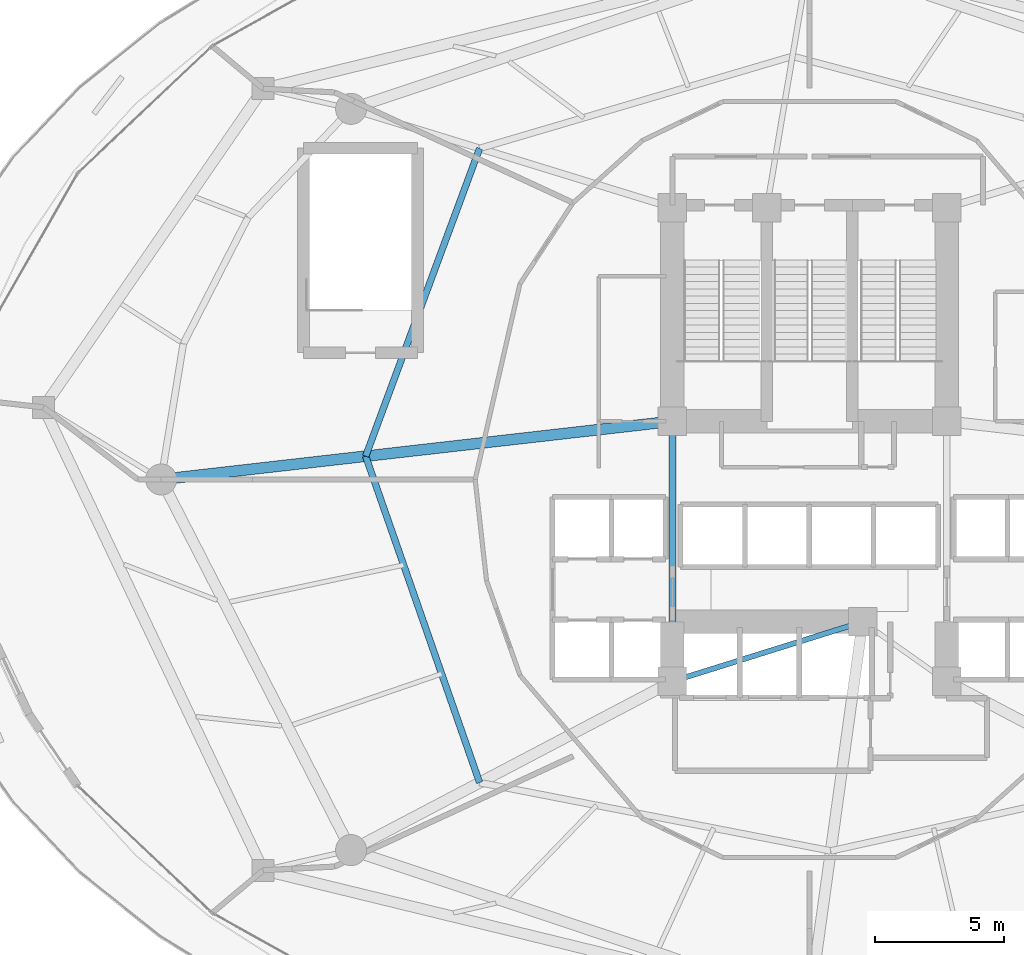
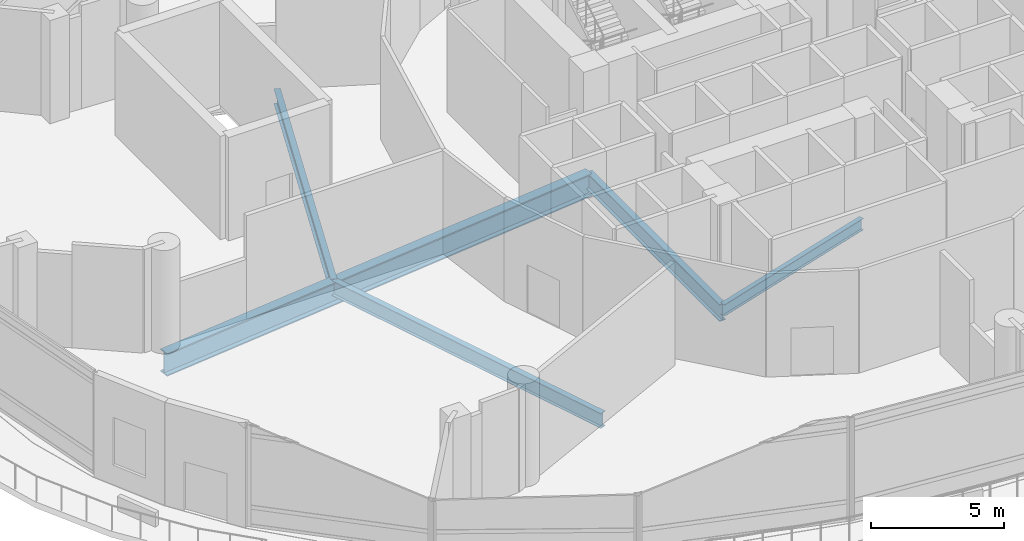
# One storey, part 10 of 34: 5 beams.
"""IFC4 building model written with IfcOpenShell, lengths in metres."""

import ifcopenshell
import ifcopenshell.guid

model = None  # the IFC model being written
_history = None  # IfcOwnerHistory: only IFC2X3 demands one
_inside = {}  # id of a spatial element -> (the spatial element, [elements in it])
_under = {}  # id of a project, library or spatial element -> (it, [spatial elements below it])
_declared = {}  # id of a project -> (the project, [libraries it declares])
_typed = {}  # id of a type object -> (the type object, [elements of that type])
_made_of = {}  # id of a material, layer set ... -> (it, [elements and type objects made of it])


def new_model(schema):
    """Start an empty IFC model of exactly this schema.

    Asked for "IFC4X3", IfcOpenShell would pick the latest addendum, in which some entities
    have other attributes; the version numbers below select the first issue.
    IFC2X3 requires an IfcOwnerHistory on every rooted entity: one is made here for all.
    """
    global model, _history
    if schema == "IFC4X3":
        model = ifcopenshell.file(schema_version=(4, 3, 0, 0))
    else:
        model = ifcopenshell.file(schema=schema)
    _inside.clear()
    _under.clear()
    _declared.clear()
    _typed.clear()
    _made_of.clear()
    _history = None
    if model.schema == "IFC2X3":
        org = make("IfcOrganization", Name="unknown")
        user = make(
            "IfcPersonAndOrganization",
            ThePerson=make("IfcPerson", FamilyName="unknown"),
            TheOrganization=org,
        )
        app = make(
            "IfcApplication",
            ApplicationDeveloper=org,
            Version="unknown",
            ApplicationFullName="unknown",
            ApplicationIdentifier="unknown",
        )
        _history = make(
            "IfcOwnerHistory",
            OwningUser=user,
            OwningApplication=app,
            ChangeAction="ADDED",
            CreationDate=0,
        )
    return model


def make(cls, **values):
    """One entity of the class cls with the attributes given. An attribute that is None is left unset."""
    return model.create_entity(
        cls, **{name: value for name, value in values.items() if value is not None}
    )


def rooted(cls, **values):
    """An entity with a GlobalId (a new one), such as an element, a storey or a relation."""
    return make(cls, GlobalId=ifcopenshell.guid.new(), OwnerHistory=_history, **values)


def si_unit(unit_type, name, prefix=None):
    """IfcSIUnit, for example si_unit("LENGTHUNIT", "METRE", prefix="MILLI")."""
    return make("IfcSIUnit", UnitType=unit_type, Prefix=prefix, Name=name)


def assignment(units):
    """IfcUnitAssignment: the units of a project."""
    return None if units is None else make("IfcUnitAssignment", Units=units)


def point(xyz):
    """IfcCartesianPoint."""
    return None if xyz is None else make("IfcCartesianPoint", Coordinates=xyz)


def direction(xyz):
    """IfcDirection."""
    return None if xyz is None else make("IfcDirection", DirectionRatios=xyz)


def frame(location, z_axis=None, x_axis=None):
    """IfcAxis2Placement3D, a coordinate frame: its origin and axes. An axis left out is left unset."""
    return make(
        "IfcAxis2Placement3D",
        Location=point(location),
        Axis=direction(z_axis),
        RefDirection=direction(x_axis),
    )


def frame_2d(location, x_axis=None):
    """IfcAxis2Placement2D, a coordinate frame in the plane: its origin and x axis."""
    return make(
        "IfcAxis2Placement2D", Location=point(location), RefDirection=direction(x_axis)
    )


def origin():
    """The frame at (0, 0, 0) with its axes left unset."""
    return frame((0.0, 0.0, 0.0))


def origin_2d():
    """The frame at (0, 0) in the plane with its x axis left unset."""
    return frame_2d((0.0, 0.0))


def place(relative_to, where):
    """IfcLocalPlacement: puts the frame where relative to a parent placement (None: the world)."""
    return make(
        "IfcLocalPlacement", PlacementRelTo=relative_to, RelativePlacement=where
    )


def context(
    kind, dimensions, precision=None, world=None, true_north=None, identifier=None
):
    """IfcGeometricRepresentationContext, for example the 3D "Model" context."""
    return make(
        "IfcGeometricRepresentationContext",
        ContextIdentifier=identifier,
        ContextType=kind,
        CoordinateSpaceDimension=dimensions,
        Precision=precision,
        WorldCoordinateSystem=world,
        TrueNorth=true_north,
    )


def subcontext(parent, identifier, kind, view, scale=None):
    """IfcGeometricRepresentationSubContext, for example "Body" below "Model"."""
    return make(
        "IfcGeometricRepresentationSubContext",
        ContextIdentifier=identifier,
        ContextType=kind,
        ParentContext=parent,
        TargetScale=scale,
        TargetView=view,
    )


def project(units=None, contexts=None):
    """IfcProject with its units and contexts."""
    return rooted(
        "IfcProject",
        Name="project",
        RepresentationContexts=contexts,
        UnitsInContext=assignment(units),
    )


def spatial(cls, under=None, at=None, **own):
    """A site, building, storey or space (cls), placed at a placement, below another one or the project."""
    s = rooted(cls, ObjectPlacement=at, **own)
    if under is not None:
        _under.setdefault(under.id(), (under, []))[1].append(s)
    return s


def profile(cls, at=None, kind="AREA", **sizes):
    """A parametric profile (cls). Its sizes go by their IFC names, for example OverallWidth=200.0."""
    return make(cls, ProfileType=kind, Position=at, **sizes)


def i_section(**sizes):
    """IfcIShapeProfileDef."""
    return profile("IfcIShapeProfileDef", **sizes)


def extrude(swept, where, along, depth):
    """IfcExtrudedAreaSolid: the profile swept, set in the frame where, extruded along a direction by depth."""
    return make(
        "IfcExtrudedAreaSolid",
        SweptArea=swept,
        Position=where,
        ExtrudedDirection=direction(along),
        Depth=depth,
    )


def shape(context_of_items, identifier, shape_type, items):
    """IfcShapeRepresentation: the items that make up one representation, for example the "Body"."""
    return make(
        "IfcShapeRepresentation",
        ContextOfItems=context_of_items,
        RepresentationIdentifier=identifier,
        RepresentationType=shape_type,
        Items=items,
    )


def material(Name=None, Category=None):
    """IfcMaterial."""
    return make("IfcMaterial", Name=Name, Category=Category)


def material_profile(
    of_material, cross_section, Name=None, Category=None, Priority=None
):
    """IfcMaterialProfile: a cross section and its material."""
    return make(
        "IfcMaterialProfile",
        Name=Name,
        Material=of_material,
        Profile=cross_section,
        Priority=Priority,
        Category=Category,
    )


def profile_set(profiles, Name=None, composite=None):
    """IfcMaterialProfileSet."""
    return make(
        "IfcMaterialProfileSet",
        Name=Name,
        MaterialProfiles=profiles,
        CompositeProfile=composite,
    )


def made_of(thing, what):
    """Note that an element or type object is made of a material, layer set ...; save() writes the relation."""
    if what is not None:
        _made_of.setdefault(what.id(), (what, []))[1].append(thing)
    return thing


def type_object(cls, material=None, **own):
    """A type object (cls), such as IfcWallType, which elements share."""
    return made_of(rooted(cls, **own), material)


def element(
    cls,
    number,
    at=None,
    inside=None,
    cuts=None,
    type_object=None,
    material=None,
    context=None,
    identifier="Body",
    shape_type=None,
    held_by="IfcProductDefinitionShape",
    body=None,
    shapes=None,
    **own,
):
    """One element of the class cls, such as IfcWall. Its Tag is "e" and its number.

    at: its placement. inside: the storey or other place that contains it. cuts: it is an
    opening in that element (IfcRelVoidsElement). A single representation is given by context,
    identifier, shape_type and body (its items); several are given by shapes. held_by: the class
    of the entity that holds the representations. save() writes the other relations.
    """
    e = rooted(cls, Tag="e%d" % number, ObjectPlacement=at, **own)
    if body is not None:
        shapes = [shape(context, identifier, shape_type, body)]
    if shapes is not None:
        e.Representation = make(held_by, Representations=shapes)
    if inside is not None:
        _inside.setdefault(inside.id(), (inside, []))[1].append(e)
    if cuts is not None:
        rooted(
            "IfcRelVoidsElement", RelatingBuildingElement=cuts, RelatedOpeningElement=e
        )
    if type_object is not None:
        _typed.setdefault(type_object.id(), (type_object, []))[1].append(e)
    return made_of(e, material)


def aggregate(whole, parts):
    """IfcRelAggregates: a whole, such as a stair, and the parts it consists of."""
    return rooted("IfcRelAggregates", RelatingObject=whole, RelatedObjects=parts)


def save(model, path):
    """Write the relations noted so far, then the file.

    IfcRelAggregates (storeys below a building ...), IfcRelContainedInSpatialStructure (elements
    in a storey), IfcRelDefinesByType, IfcRelAssociatesMaterial and IfcRelDeclares: one each for
    every whole, place, type object, material and project.
    """
    for whole, parts in _under.values():
        aggregate(whole, parts)
    for where, things in _inside.values():
        rooted(
            "IfcRelContainedInSpatialStructure",
            RelatedElements=things,
            RelatingStructure=where,
        )
    for kind, things in _typed.values():
        rooted("IfcRelDefinesByType", RelatedObjects=things, RelatingType=kind)
    for what, things in _made_of.values():
        rooted("IfcRelAssociatesMaterial", RelatedObjects=things, RelatingMaterial=what)
    for by, libraries in _declared.values():
        rooted("IfcRelDeclares", RelatingContext=by, RelatedDefinitions=libraries)
    model.write(path)


model = new_model("IFC4")

# Units and contexts
model_context = context("Model", 3, precision=1e-05, world=origin(), true_north=direction((0.0, 1.0)))
body_context = subcontext(model_context, "Body", "Model", "MODEL_VIEW")
ifc_project = project(units=[si_unit("LENGTHUNIT", "METRE"), si_unit("AREAUNIT", "SQUARE_METRE"), si_unit("VOLUMEUNIT", "CUBIC_METRE"), si_unit("PLANEANGLEUNIT", "RADIAN"), si_unit("MASSUNIT", "GRAM", prefix="KILO")], contexts=[model_context])

# Site, building, storey
site_placement = place(None, origin())
site = spatial("IfcSite", under=ifc_project, at=site_placement, CompositionType="ELEMENT")
building_placement = place(site_placement, origin())
building = spatial("IfcBuilding", under=site, at=building_placement, Name="Nuhasar Tower", CompositionType="ELEMENT")
storey_placement = place(building_placement, frame((0.0, 0.0, 16.0)))
storey = spatial("IfcBuildingStorey", under=building, at=storey_placement, Name="L03", CompositionType="ELEMENT", Elevation=16.0)

# Beams
ifc_material_1 = material(Name="Steel S355", Category="steel")
ifc_material_profile_1 = material_profile(ifc_material_1, i_section(OverallWidth=0.25390625, OverallDepth=0.68408203125, WebThickness=0.012451171875, FlangeThickness=0.018798828125, at=origin_2d()), Name="W27X94")
ifc_profile_set_1 = profile_set([ifc_material_profile_1], Name="Steel S355")
beam_type_1 = type_object("IfcBeamType", Name="BM-INRING-W27X94", PredefinedType="BEAM", material=ifc_profile_set_1)
beam_1_placement = place(storey_placement, frame((26.251953125, 39.591064453125, -0.64208984375), z_axis=(-0.34715757476, -0.937806812881, 0.0), x_axis=(0.937806812881, -0.34715757476, 0.0)))
element("IfcBeam", 1, at=beam_1_placement, inside=storey, type_object=beam_type_1, Name="L03 Inner Header Beam 07", PredefinedType="BEAM", context=body_context, shape_type="SweptSolid", body=[
    extrude(i_section(OverallWidth=0.25390625, OverallDepth=0.68408203125, WebThickness=0.012451171875, FlangeThickness=0.018798828125, at=origin_2d()), origin(), (0.0, 0.0, 1.0), 12.6796875),
])
beam_2_placement = place(storey_placement, frame((21.85009765625, 27.699951171875, -0.64208984375), z_axis=(0.329554049858, -0.944136710558, 0.0), x_axis=(0.944136710558, 0.329554049858, 0.0)))
element("IfcBeam", 2, at=beam_2_placement, inside=storey, type_object=beam_type_1, Name="L03 Inner Header Beam 08", PredefinedType="BEAM", context=body_context, shape_type="SweptSolid", body=[
    extrude(i_section(OverallWidth=0.25390625, OverallDepth=0.68408203125, WebThickness=0.012451171875, FlangeThickness=0.018798828125, at=origin_2d()), origin(), (0.0, 0.0, 1.0), 13.35693359375),
])
ifc_material_profile_2 = material_profile(ifc_material_1, i_section(OverallWidth=0.208984375, OverallDepth=0.532958984375, WebThickness=0.01025390625, FlangeThickness=0.015625, at=origin_2d()), Name="W21X62")
ifc_profile_set_2 = profile_set([ifc_material_profile_2], Name="Steel S355")
beam_type_2 = type_object("IfcBeamType", Name="BM-RAD-W21X62", PredefinedType="BEAM", material=ifc_profile_set_2)
beam_3_placement = place(storey_placement, frame((33.699951171875, 19.0, -0.56689453125), z_axis=(0.954363709454, 0.298646798205, 0.0), x_axis=(-0.298646798205, 0.954363709454, 0.0)))
element("IfcBeam", 3, at=beam_3_placement, inside=storey, type_object=beam_type_2, Name="L03 Core Ring Girder 1", PredefinedType="BEAM", context=body_context, shape_type="SweptSolid", body=[
    extrude(i_section(OverallWidth=0.208984375, OverallDepth=0.532958984375, WebThickness=0.01025390625, FlangeThickness=0.015625, at=origin_2d()), origin(), (0.0, 0.0, 1.0), 7.70166015625),
])
ifc_material_profile_3 = material_profile(ifc_material_1, i_section(OverallWidth=0.26611328125, OverallDepth=0.779052734375, WebThickness=0.0166015625, FlangeThickness=0.030029296875, at=origin_2d()), Name="W30X148")
ifc_profile_set_3 = profile_set([ifc_material_profile_3], Name="Steel S355")
beam_type_3 = type_object("IfcBeamType", Name="BM-RAD-W30X148", PredefinedType="BEAM", material=ifc_profile_set_3)
beam_4_placement = place(storey_placement, frame((33.699951171875, 29.050048828125, -0.68994140625), z_axis=(0.0, -1.0, 0.0), x_axis=(1.0, 0.0, 0.0)))
element("IfcBeam", 4, at=beam_4_placement, inside=storey, type_object=beam_type_3, Name="L03 Core Ring Girder 8", PredefinedType="BEAM", context=body_context, shape_type="SweptSolid", body=[
    extrude(i_section(OverallWidth=0.26611328125, OverallDepth=0.779052734375, WebThickness=0.0166015625, FlangeThickness=0.030029296875, at=origin_2d()), origin(), (0.0, 0.0, 1.0), 10.050048828125),
])
ifc_material_2 = material(Name="Steel S460", Category="steel")
ifc_material_profile_4 = material_profile(ifc_material_2, i_section(OverallWidth=0.419921875, OverallDepth=1.0400390625, WebThickness=0.031005859375, FlangeThickness=0.055908203125, at=origin_2d()), Name="W40X397")
ifc_profile_set_4 = profile_set([ifc_material_profile_4], Name="Steel S460")
beam_type_4 = type_object("IfcBeamType", Name="BM-XFER-W40X397", PredefinedType="USERDEFINED", material=ifc_profile_set_4)
beam_5_placement = place(storey_placement, frame((33.699951171875, 29.050048828125, -0.820068359375), z_axis=(-0.993573147212, -0.113191877531, 0.0), x_axis=(0.113191877531, -0.993573147212, 0.0)))
element("IfcBeam", 5, at=beam_5_placement, inside=storey, type_object=beam_type_4, Name="L03 Radial Floor Girder 08", ObjectType="GIRDER", PredefinedType="USERDEFINED", context=body_context, shape_type="SweptSolid", body=[
    extrude(i_section(OverallWidth=0.419921875, OverallDepth=1.0400390625, WebThickness=0.031005859375, FlangeThickness=0.055908203125, at=origin_2d()), origin(), (0.0, 0.0, 1.0), 19.877685546875),
])

save(model, "model.ifc")
